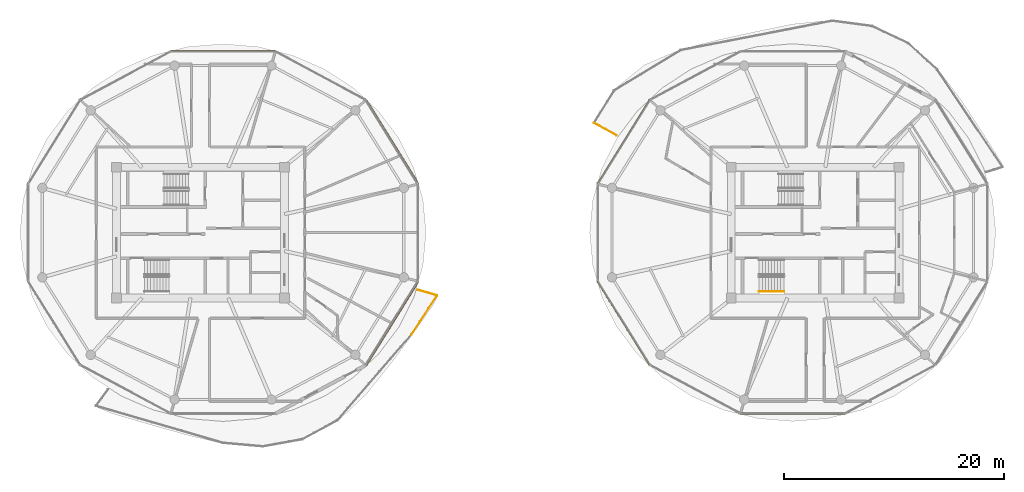
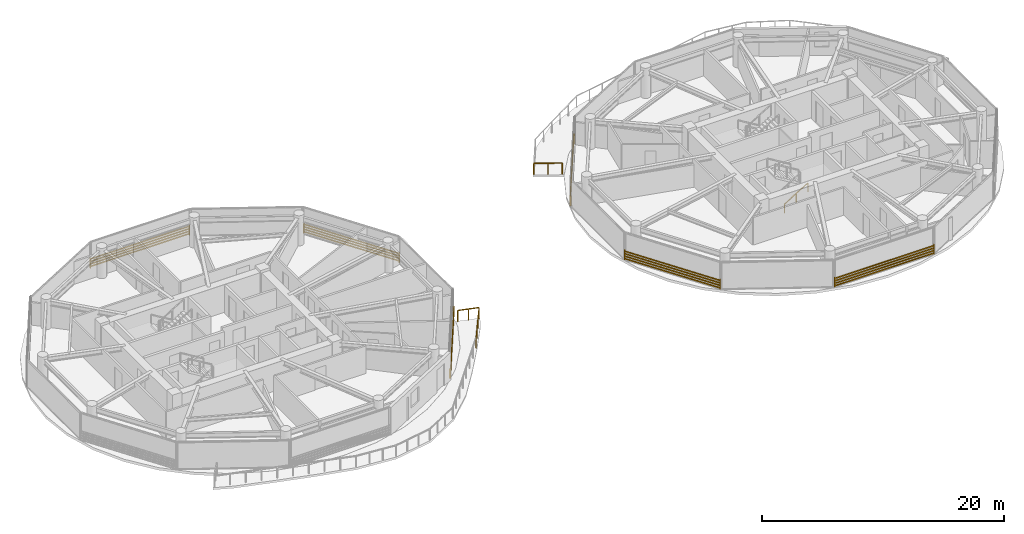
# One storey, part 22 of 24: 6 shading devices, 3 railings.
"""IFC4 building model written with IfcOpenShell, lengths in metres."""

import ifcopenshell
import ifcopenshell.guid

model = None  # the IFC model being written
_history = None  # IfcOwnerHistory: only IFC2X3 demands one
_inside = {}  # id of a spatial element -> (the spatial element, [elements in it])
_under = {}  # id of a project, library or spatial element -> (it, [spatial elements below it])
_declared = {}  # id of a project -> (the project, [libraries it declares])
_typed = {}  # id of a type object -> (the type object, [elements of that type])
_made_of = {}  # id of a material, layer set ... -> (it, [elements and type objects made of it])


def new_model(schema):
    """Start an empty IFC model of exactly this schema.

    Asked for "IFC4X3", IfcOpenShell would pick the latest addendum, in which some entities
    have other attributes; the version numbers below select the first issue.
    IFC2X3 requires an IfcOwnerHistory on every rooted entity: one is made here for all.
    """
    global model, _history
    if schema == "IFC4X3":
        model = ifcopenshell.file(schema_version=(4, 3, 0, 0))
    else:
        model = ifcopenshell.file(schema=schema)
    _inside.clear()
    _under.clear()
    _declared.clear()
    _typed.clear()
    _made_of.clear()
    _history = None
    if model.schema == "IFC2X3":
        org = make("IfcOrganization", Name="unknown")
        user = make(
            "IfcPersonAndOrganization",
            ThePerson=make("IfcPerson", FamilyName="unknown"),
            TheOrganization=org,
        )
        app = make(
            "IfcApplication",
            ApplicationDeveloper=org,
            Version="unknown",
            ApplicationFullName="unknown",
            ApplicationIdentifier="unknown",
        )
        _history = make(
            "IfcOwnerHistory",
            OwningUser=user,
            OwningApplication=app,
            ChangeAction="ADDED",
            CreationDate=0,
        )
    return model


def make(cls, **values):
    """One entity of the class cls with the attributes given. An attribute that is None is left unset."""
    return model.create_entity(
        cls, **{name: value for name, value in values.items() if value is not None}
    )


def rooted(cls, **values):
    """An entity with a GlobalId (a new one), such as an element, a storey or a relation."""
    return make(cls, GlobalId=ifcopenshell.guid.new(), OwnerHistory=_history, **values)


def si_unit(unit_type, name, prefix=None):
    """IfcSIUnit, for example si_unit("LENGTHUNIT", "METRE", prefix="MILLI")."""
    return make("IfcSIUnit", UnitType=unit_type, Prefix=prefix, Name=name)


def assignment(units):
    """IfcUnitAssignment: the units of a project."""
    return None if units is None else make("IfcUnitAssignment", Units=units)


def point(xyz):
    """IfcCartesianPoint."""
    return None if xyz is None else make("IfcCartesianPoint", Coordinates=xyz)


def direction(xyz):
    """IfcDirection."""
    return None if xyz is None else make("IfcDirection", DirectionRatios=xyz)


def frame(location, z_axis=None, x_axis=None):
    """IfcAxis2Placement3D, a coordinate frame: its origin and axes. An axis left out is left unset."""
    return make(
        "IfcAxis2Placement3D",
        Location=point(location),
        Axis=direction(z_axis),
        RefDirection=direction(x_axis),
    )


def frame_2d(location, x_axis=None):
    """IfcAxis2Placement2D, a coordinate frame in the plane: its origin and x axis."""
    return make(
        "IfcAxis2Placement2D", Location=point(location), RefDirection=direction(x_axis)
    )


def origin():
    """The frame at (0, 0, 0) with its axes left unset."""
    return frame((0.0, 0.0, 0.0))


def origin_2d():
    """The frame at (0, 0) in the plane with its x axis left unset."""
    return frame_2d((0.0, 0.0))


def place(relative_to, where):
    """IfcLocalPlacement: puts the frame where relative to a parent placement (None: the world)."""
    return make(
        "IfcLocalPlacement", PlacementRelTo=relative_to, RelativePlacement=where
    )


def context(
    kind, dimensions, precision=None, world=None, true_north=None, identifier=None
):
    """IfcGeometricRepresentationContext, for example the 3D "Model" context."""
    return make(
        "IfcGeometricRepresentationContext",
        ContextIdentifier=identifier,
        ContextType=kind,
        CoordinateSpaceDimension=dimensions,
        Precision=precision,
        WorldCoordinateSystem=world,
        TrueNorth=true_north,
    )


def subcontext(parent, identifier, kind, view, scale=None):
    """IfcGeometricRepresentationSubContext, for example "Body" below "Model"."""
    return make(
        "IfcGeometricRepresentationSubContext",
        ContextIdentifier=identifier,
        ContextType=kind,
        ParentContext=parent,
        TargetScale=scale,
        TargetView=view,
    )


def project(units=None, contexts=None):
    """IfcProject with its units and contexts."""
    return rooted(
        "IfcProject",
        Name="project",
        RepresentationContexts=contexts,
        UnitsInContext=assignment(units),
    )


def spatial(cls, under=None, at=None, **own):
    """A site, building, storey or space (cls), placed at a placement, below another one or the project."""
    s = rooted(cls, ObjectPlacement=at, **own)
    if under is not None:
        _under.setdefault(under.id(), (under, []))[1].append(s)
    return s


def profile(cls, at=None, kind="AREA", **sizes):
    """A parametric profile (cls). Its sizes go by their IFC names, for example OverallWidth=200.0."""
    return make(cls, ProfileType=kind, Position=at, **sizes)


def rectangle(**sizes):
    """IfcRectangleProfileDef."""
    return profile("IfcRectangleProfileDef", **sizes)


def extrude(swept, where, along, depth):
    """IfcExtrudedAreaSolid: the profile swept, set in the frame where, extruded along a direction by depth."""
    return make(
        "IfcExtrudedAreaSolid",
        SweptArea=swept,
        Position=where,
        ExtrudedDirection=direction(along),
        Depth=depth,
    )


def shape(context_of_items, identifier, shape_type, items):
    """IfcShapeRepresentation: the items that make up one representation, for example the "Body"."""
    return make(
        "IfcShapeRepresentation",
        ContextOfItems=context_of_items,
        RepresentationIdentifier=identifier,
        RepresentationType=shape_type,
        Items=items,
    )


def source(mapping_origin, context_of_items, identifier, shape_type, items):
    """IfcRepresentationMap: a shape defined once, which mapped items show again and again."""
    return make(
        "IfcRepresentationMap",
        MappingOrigin=mapping_origin,
        MappedRepresentation=shape(context_of_items, identifier, shape_type, items),
    )


def transform(
    local_origin,
    x_axis=None,
    y_axis=None,
    z_axis=None,
    scale=None,
    scale2=None,
    scale3=None,
    uniform=True,
):
    """IfcCartesianTransformationOperator3D, or its non-uniform kind. x_axis, y_axis, z_axis: its Axis1, 2, 3."""
    if uniform:
        return make(
            "IfcCartesianTransformationOperator3D",
            Axis1=direction(x_axis),
            Axis2=direction(y_axis),
            LocalOrigin=point(local_origin),
            Scale=scale,
            Axis3=direction(z_axis),
        )
    return make(
        "IfcCartesianTransformationOperator3DnonUniform",
        Axis1=direction(x_axis),
        Axis2=direction(y_axis),
        LocalOrigin=point(local_origin),
        Scale=scale,
        Axis3=direction(z_axis),
        Scale2=scale2,
        Scale3=scale3,
    )


def mapped(mapping_source, mapping_target):
    """IfcMappedItem: shows the shape of a source again, moved by a transform."""
    return make(
        "IfcMappedItem", MappingSource=mapping_source, MappingTarget=mapping_target
    )


def material(Name=None, Category=None):
    """IfcMaterial."""
    return make("IfcMaterial", Name=Name, Category=Category)


def made_of(thing, what):
    """Note that an element or type object is made of a material, layer set ...; save() writes the relation."""
    if what is not None:
        _made_of.setdefault(what.id(), (what, []))[1].append(thing)
    return thing


def type_object(cls, material=None, **own):
    """A type object (cls), such as IfcWallType, which elements share."""
    return made_of(rooted(cls, **own), material)


def type_shapes(of_type, sources):
    """Give a type object the sources (RepresentationMaps) that its elements show as mapped items."""
    of_type.RepresentationMaps = sources


def element(
    cls,
    number,
    at=None,
    inside=None,
    cuts=None,
    type_object=None,
    material=None,
    context=None,
    identifier="Body",
    shape_type=None,
    held_by="IfcProductDefinitionShape",
    body=None,
    shapes=None,
    **own,
):
    """One element of the class cls, such as IfcWall. Its Tag is "e" and its number.

    at: its placement. inside: the storey or other place that contains it. cuts: it is an
    opening in that element (IfcRelVoidsElement). A single representation is given by context,
    identifier, shape_type and body (its items); several are given by shapes. held_by: the class
    of the entity that holds the representations. save() writes the other relations.
    """
    e = rooted(cls, Tag="e%d" % number, ObjectPlacement=at, **own)
    if body is not None:
        shapes = [shape(context, identifier, shape_type, body)]
    if shapes is not None:
        e.Representation = make(held_by, Representations=shapes)
    if inside is not None:
        _inside.setdefault(inside.id(), (inside, []))[1].append(e)
    if cuts is not None:
        rooted(
            "IfcRelVoidsElement", RelatingBuildingElement=cuts, RelatedOpeningElement=e
        )
    if type_object is not None:
        _typed.setdefault(type_object.id(), (type_object, []))[1].append(e)
    return made_of(e, material)


def aggregate(whole, parts):
    """IfcRelAggregates: a whole, such as a stair, and the parts it consists of."""
    return rooted("IfcRelAggregates", RelatingObject=whole, RelatedObjects=parts)


def save(model, path):
    """Write the relations noted so far, then the file.

    IfcRelAggregates (storeys below a building ...), IfcRelContainedInSpatialStructure (elements
    in a storey), IfcRelDefinesByType, IfcRelAssociatesMaterial and IfcRelDeclares: one each for
    every whole, place, type object, material and project.
    """
    for whole, parts in _under.values():
        aggregate(whole, parts)
    for where, things in _inside.values():
        rooted(
            "IfcRelContainedInSpatialStructure",
            RelatedElements=things,
            RelatingStructure=where,
        )
    for kind, things in _typed.values():
        rooted("IfcRelDefinesByType", RelatedObjects=things, RelatingType=kind)
    for what, things in _made_of.values():
        rooted("IfcRelAssociatesMaterial", RelatedObjects=things, RelatingMaterial=what)
    for by, libraries in _declared.values():
        rooted("IfcRelDeclares", RelatingContext=by, RelatedDefinitions=libraries)
    model.write(path)


model = new_model("IFC4")

# Units and contexts
model_context = context("Model", 3, precision=1e-05, world=origin(), true_north=direction((0.0, 1.0)))
body_context = subcontext(model_context, "Body", "Model", "MODEL_VIEW")
ifc_project = project(units=[si_unit("LENGTHUNIT", "METRE"), si_unit("AREAUNIT", "SQUARE_METRE"), si_unit("VOLUMEUNIT", "CUBIC_METRE"), si_unit("PLANEANGLEUNIT", "RADIAN"), si_unit("MASSUNIT", "GRAM", prefix="KILO")], contexts=[model_context])

# Site, building, storey
site_placement = place(None, origin())
site = spatial("IfcSite", under=ifc_project, at=site_placement, CompositionType="ELEMENT")
building_placement = place(site_placement, origin())
building = spatial("IfcBuilding", under=site, at=building_placement, Name="Norrkilde Senior Care Towers", CompositionType="ELEMENT")
storey_placement = place(building_placement, frame((0.0, 0.0, 111.5)))
storey = spatial("IfcBuildingStorey", under=building, at=storey_placement, Name="L34", CompositionType="ELEMENT", Elevation=111.5)

# Railings
ifc_material_1 = material(Name="Anodised Aluminium", Category="aluminium")
railing_type_1 = type_object("IfcRailingType", Name="Balcony Swirl Ribbon Guardrail 1150", PredefinedType="GUARDRAIL", material=ifc_material_1)
railing_1_placement = place(storey_placement, frame((9.902587890625, 8.864501953125, 0.0)))
element("IfcRailing", 1, at=railing_1_placement, inside=storey, type_object=railing_type_1, Name="L34 Perimeter Safety Guard 02", PredefinedType="GUARDRAIL", context=body_context, shape_type="SweptSolid", body=[
    extrude(rectangle(XDim=0.048095703125, YDim=0.048095703125, at=origin_2d()), frame((0.0, 0.0, 1.1259765625), z_axis=(-0.877421178001, 0.47972083173, 0.0), x_axis=(-0.47972083173, -0.877421178001, 0.0)), (0.0, 0.0, 1.0), 2.342529296875),
    extrude(rectangle(XDim=0.0419921875, YDim=0.0419921875, at=origin_2d()), origin(), (0.0, 0.0, 1.0), 1.099853515625),
    extrude(rectangle(XDim=0.0419921875, YDim=0.0419921875, at=origin_2d()), frame((-1.02783203125, 0.56201171875, 0.0)), (0.0, 0.0, 1.0), 1.099853515625),
    extrude(rectangle(XDim=0.0419921875, YDim=0.0419921875, at=origin_2d()), frame((-2.055419921875, 1.123779296875, 0.0)), (0.0, 0.0, 1.0), 1.099853515625),
])
railing_2_placement = place(storey_placement, frame((-8.18896484375, -5.225341796875, 0.0)))
element("IfcRailing", 2, at=railing_2_placement, inside=storey, type_object=railing_type_1, Name="L34 Perimeter Safety Guard 04", PredefinedType="GUARDRAIL", context=body_context, shape_type="SweptSolid", body=[
    extrude(rectangle(XDim=0.048095703125, YDim=0.048095703125, at=origin_2d()), frame((0.0, 0.0, 1.1259765625), z_axis=(0.960557638506, -0.278080965024, 0.0), x_axis=(0.278080965024, 0.960557638506, 0.0)), (0.0, 0.0, 1.0), 1.77197265625),
    extrude(rectangle(XDim=0.048095703125, YDim=0.048095703125, at=origin_2d()), frame((1.718994140625, -0.538330078125, 1.1259765625), z_axis=(-0.548417911185, -0.836204397675, 0.0), x_axis=(0.836204397675, -0.548417911185, 0.0)), (0.0, 0.0, 1.0), 4.229736328125),
    extrude(rectangle(XDim=0.0419921875, YDim=0.0419921875, at=origin_2d()), origin(), (0.0, 0.0, 1.0), 1.099853515625),
    extrude(rectangle(XDim=0.0419921875, YDim=0.0419921875, at=origin_2d()), frame((0.87060546875, -0.251953125, 0.0)), (0.0, 0.0, 1.0), 1.099853515625),
    extrude(rectangle(XDim=0.0419921875, YDim=0.0419921875, at=origin_2d()), frame((1.741455078125, -0.504150390625, 0.0)), (0.0, 0.0, 1.0), 1.099853515625),
    extrude(rectangle(XDim=0.0419921875, YDim=0.0419921875, at=origin_2d()), frame((0.960693359375, -1.694580078125, 0.0)), (0.0, 0.0, 1.0), 1.099853515625),
    extrude(rectangle(XDim=0.0419921875, YDim=0.0419921875, at=origin_2d()), frame((0.18017578125, -2.884765625, 0.0)), (0.0, 0.0, 1.0), 1.099853515625),
    extrude(rectangle(XDim=0.0419921875, YDim=0.0419921875, at=origin_2d()), frame((-0.6005859375, -4.0751953125, 0.0)), (0.0, 0.0, 1.0), 1.099853515625),
])
ifc_material_2 = material(Name="Nordic Ash Timber", Category="wood")
railing_type_2 = type_object("IfcRailingType", Name="Wall and Stair Handrail 900", PredefinedType="HANDRAIL", material=ifc_material_2)
railing_3_placement = place(storey_placement, frame((22.89990234375, -5.35009765625, 0.16943359375)))
element("IfcRailing", 3, at=railing_3_placement, inside=storey, type_object=railing_type_2, Name="L34 ST-E2 stair handrail 1", PredefinedType="HANDRAIL", context=body_context, shape_type="SweptSolid", body=[
    extrude(rectangle(XDim=0.048095703125, YDim=0.048095703125, at=origin_2d()), frame((0.0, 0.0, 0.8759765625), z_axis=(0.855553338991, 0.0, 0.51771467445), x_axis=(0.0, 1.0, 0.0)), (0.0, 0.0, 1.0), 2.6181640625),
    extrude(rectangle(XDim=0.0419921875, YDim=0.0419921875, at=origin_2d()), origin(), (0.0, 0.0, 1.0), 0.849853515625),
    extrude(rectangle(XDim=0.0419921875, YDim=0.0419921875, at=origin_2d()), frame((1.1201171875, 0.0, 0.677734375)), (0.0, 0.0, 1.0), 0.849853515625),
    extrude(rectangle(XDim=0.0419921875, YDim=0.0419921875, at=origin_2d()), frame((2.239990234375, 0.0, 1.35546875)), (0.0, 0.0, 1.0), 0.849853515625),
])

# Shading devices
ifc_material_3 = material(Name="Architectural Terracotta", Category="masonry")
shading_device_type = type_object("IfcShadingDeviceType", Name="Horizontal Terracotta Baguette Rack", PredefinedType="USERDEFINED", material=ifc_material_3)
shared_shape_1 = source(origin(), body_context, "Body", "SweptSolid", [
    extrude(rectangle(XDim=0.070068359375, YDim=0.110107421875, at=origin_2d()), frame((0.0, 0.090087890625, 0.125), z_axis=(1.0, 0.0, 0.0), x_axis=(0.0, 1.0, 0.0)), (0.0, 0.0, 1.0), 9.01416015625),
    extrude(rectangle(XDim=0.070068359375, YDim=0.110107421875, at=origin_2d()), frame((0.0, 0.090087890625, 0.375), z_axis=(1.0, 0.0, 0.0), x_axis=(0.0, 1.0, 0.0)), (0.0, 0.0, 1.0), 9.01416015625),
    extrude(rectangle(XDim=0.070068359375, YDim=0.110107421875, at=origin_2d()), frame((0.0, 0.090087890625, 0.625), z_axis=(1.0, 0.0, 0.0), x_axis=(0.0, 1.0, 0.0)), (0.0, 0.0, 1.0), 9.01416015625),
    extrude(rectangle(XDim=0.070068359375, YDim=0.110107421875, at=origin_2d()), frame((0.0, 0.090087890625, 0.875), z_axis=(1.0, 0.0, 0.0), x_axis=(0.0, 1.0, 0.0)), (0.0, 0.0, 1.0), 9.01416015625),
    extrude(rectangle(XDim=0.050048828125, YDim=0.1552734375, at=origin_2d()), frame((0.02490234375, 0.047607421875, 0.0)), (0.0, 0.0, 1.0), 1.0),
    extrude(rectangle(XDim=0.050048828125, YDim=0.1552734375, at=origin_2d()), frame((8.9892578125, 0.047607421875, 0.0)), (0.0, 0.0, 1.0), 1.0),
])
for number, where, z_axis, x_axis, name in (
    (4, (-12.953369140625, 12.077392578125, 0.080078125), (0.0, 0.0, 1.0), (0.527734142246, -0.849412274525, 0.0), "L34 Drum W Terracotta Baguette Screen 00"),
    (5, (-8.1962890625, -4.420654296875, 0.080078125), (0.0, 0.0, 1.0), (-0.527734142246, -0.849412274525, 0.0), "L34 Drum W Terracotta Baguette Screen 10"),
    (6, (8.1962890625, 4.420654296875, 0.080078125), (0.0, 0.0, 1.0), (0.527734142246, 0.849412274525, 0.0), "L34 Drum E Terracotta Baguette Screen 04"),
    (7, (12.953369140625, -12.077392578125, 0.080078125), (0.0, 0.0, 1.0), (-0.527734142246, 0.849412274525, 0.0), "L34 Drum E Terracotta Baguette Screen 06"),
):
    element("IfcShadingDevice", number, at=place(storey_placement, frame(where, z_axis=z_axis, x_axis=x_axis)), inside=storey, type_object=shading_device_type, Name=name, ObjectType="BAGUETTE", PredefinedType="USERDEFINED", context=body_context, shape_type="MappedRepresentation", body=[
        mapped(shared_shape_1, transform((0.0, 0.0, 0.0), x_axis=(1.0, 0.0, 0.0), y_axis=(0.0, 1.0, 0.0), z_axis=(0.0, 0.0, 1.0), scale=1.0)),
    ])
shared_shape_2 = source(origin(), body_context, "Body", "SweptSolid", [
    extrude(rectangle(XDim=0.070068359375, YDim=0.110107421875, at=origin_2d()), frame((0.0, 0.090087890625, 0.125), z_axis=(1.0, 0.0, 0.0), x_axis=(0.0, 1.0, 0.0)), (0.0, 0.0, 1.0), 9.51416015625),
    extrude(rectangle(XDim=0.070068359375, YDim=0.110107421875, at=origin_2d()), frame((0.0, 0.090087890625, 0.375), z_axis=(1.0, 0.0, 0.0), x_axis=(0.0, 1.0, 0.0)), (0.0, 0.0, 1.0), 9.51416015625),
    extrude(rectangle(XDim=0.070068359375, YDim=0.110107421875, at=origin_2d()), frame((0.0, 0.090087890625, 0.625), z_axis=(1.0, 0.0, 0.0), x_axis=(0.0, 1.0, 0.0)), (0.0, 0.0, 1.0), 9.51416015625),
    extrude(rectangle(XDim=0.070068359375, YDim=0.110107421875, at=origin_2d()), frame((0.0, 0.090087890625, 0.875), z_axis=(1.0, 0.0, 0.0), x_axis=(0.0, 1.0, 0.0)), (0.0, 0.0, 1.0), 9.51416015625),
    extrude(rectangle(XDim=0.050048828125, YDim=0.1552734375, at=origin_2d()), frame((0.02490234375, 0.047607421875, 0.0)), (0.0, 0.0, 1.0), 1.0),
    extrude(rectangle(XDim=0.050048828125, YDim=0.1552734375, at=origin_2d()), frame((9.4892578125, 0.047607421875, 0.0)), (0.0, 0.0, 1.0), 1.0),
])
type_shapes(shading_device_type, [shared_shape_1, shared_shape_2])
for number, where, z_axis, x_axis, name in (
    (8, (-30.70703125, 16.498046875, 0.080078125), (0.0, 0.0, 1.0), (1.0, 0.0, 0.0), "L34 Drum W Terracotta Baguette Screen 02"),
    (9, (30.70703125, -16.498046875, 0.080078125), (0.0, 0.0, 1.0), (-1.0, 0.0, 0.0), "L34 Drum E Terracotta Baguette Screen 08"),
):
    element("IfcShadingDevice", number, at=place(storey_placement, frame(where, z_axis=z_axis, x_axis=x_axis)), inside=storey, type_object=shading_device_type, Name=name, ObjectType="BAGUETTE", PredefinedType="USERDEFINED", context=body_context, shape_type="MappedRepresentation", body=[
        mapped(shared_shape_2, transform((0.0, 0.0, 0.0), x_axis=(1.0, 0.0, 0.0), y_axis=(0.0, 1.0, 0.0), z_axis=(0.0, 0.0, 1.0), scale=1.0)),
    ])

save(model, "model.ifc")
